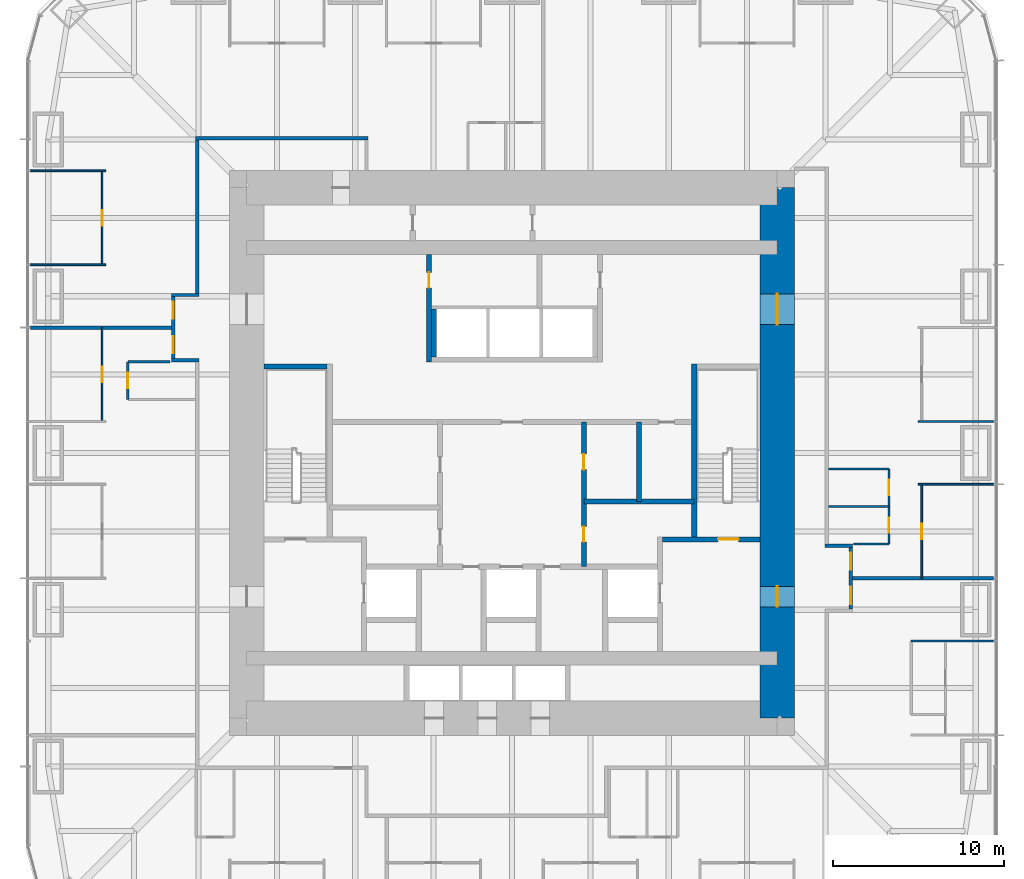
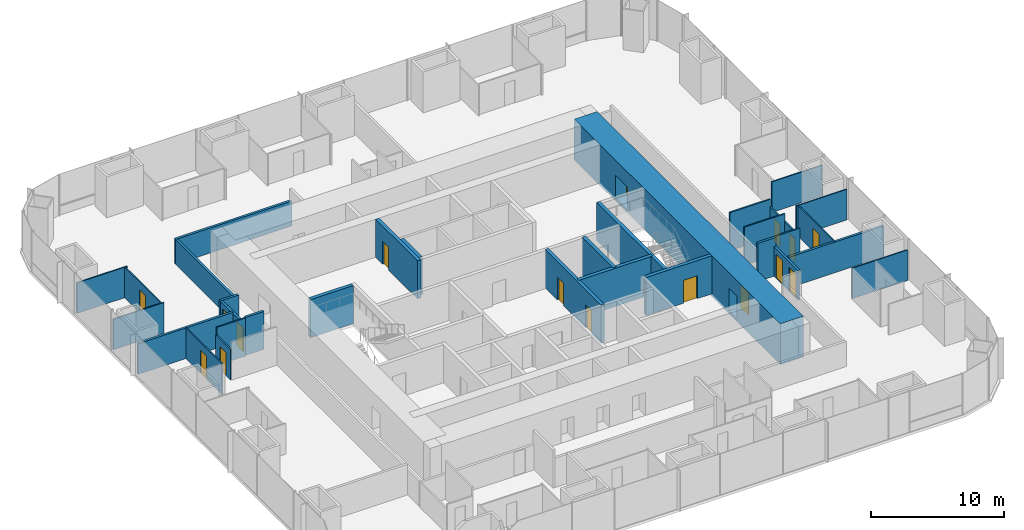
# One storey, part 9 of 11: 32 walls, 16 doors, 16 openings.
"""IFC4 building model written with IfcOpenShell, lengths in metres."""

from ifc_helpers import new_model, si_unit, direction, frame, frame_2d, origin, place, context, subcontext, project, spatial, rectangle, extrude, material, layer, layer_set, type_object, element, fill, save


model = new_model("IFC4")

# Units and contexts
model_context = context("Model", 3, precision=1e-05, world=origin(), true_north=direction((0.0, 1.0)))
body_context = subcontext(model_context, "Body", "Model", "MODEL_VIEW")
ifc_project = project(units=[si_unit("LENGTHUNIT", "METRE"), si_unit("AREAUNIT", "SQUARE_METRE"), si_unit("VOLUMEUNIT", "CUBIC_METRE"), si_unit("PLANEANGLEUNIT", "RADIAN"), si_unit("MASSUNIT", "GRAM", prefix="KILO")], contexts=[model_context])

# Site, building, storey
site_placement = place(None, origin())
site = spatial("IfcSite", under=ifc_project, at=site_placement, CompositionType="ELEMENT")
building_placement = place(site_placement, origin())
building = spatial("IfcBuilding", under=site, at=building_placement, Name="Khuree Lantern Residences", CompositionType="ELEMENT")
storey_placement = place(building_placement, frame((0.0, 0.0, 171.0)))
storey = spatial("IfcBuildingStorey", under=building, at=storey_placement, Name="L43", CompositionType="ELEMENT", Elevation=171.0)

# Wall, openings, doors
ifc_material_1 = material(Name="Moisture-resistant gypsum board on steel studs", Category="steel")
ifc_layer_1 = layer(ifc_material_1, 0.125)
ifc_layer_set_1 = layer_set([ifc_layer_1], Name="BATHROOM WALL BTW125")
wall_type_1 = type_object("IfcWallType", Name="BATHROOM WALL BTW125", PredefinedType="PARTITIONING", material=ifc_layer_set_1)
wall_1_placement = place(storey_placement, frame((22.02978515625, -5.327880859375, 0.0), z_axis=(0.0, 0.0, 1.0), x_axis=(0.0, 1.0, 0.0)))
wall_1 = element("IfcWall", 1, at=wall_1_placement, inside=storey, type_object=wall_type_1, Name="L43 BATHROOM WALL 01", PredefinedType="PARTITIONING", context=body_context, shape_type="SweptSolid", body=[
    extrude(rectangle(XDim=4.39990234375, YDim=0.125, at=frame_2d((2.199951171875, 0.0))), origin(), (0.0, 0.0, 1.0), 2.81005859375),
])
opening_1_placement = place(wall_1_placement, frame((0.64990234375, 0.0, 0.0)))
opening_1 = element("IfcOpeningElement", 2, at=opening_1_placement, cuts=wall_1, Name="Opening 43-029", PredefinedType="OPENING", context=body_context, shape_type="SweptSolid", body=[
    extrude(rectangle(XDim=0.89990234375, YDim=2.10009765625, at=frame_2d((0.449951171875, 1.050048828125))), frame((0.0, 0.072509765625, 0.0), z_axis=(0.0, -1.0, 0.0), x_axis=(1.0, 0.0, 0.0)), (0.0, 0.0, 1.0), 0.14501953125),
])
opening_2_placement = place(wall_1_placement, frame((2.85009765625, 0.0, 0.0)))
opening_2 = element("IfcOpeningElement", 3, at=opening_2_placement, cuts=wall_1, Name="Opening 43-030", PredefinedType="OPENING", context=body_context, shape_type="SweptSolid", body=[
    extrude(rectangle(XDim=0.89990234375, YDim=2.10009765625, at=frame_2d((0.449951171875, 1.050048828125))), frame((0.0, 0.072509765625, 0.0), z_axis=(0.0, -1.0, 0.0), x_axis=(1.0, 0.0, 0.0)), (0.0, 0.0, 1.0), 0.14501953125),
])
ifc_material_2 = material(Name="Timber door leaf in hardwood frame", Category="wood")
door_type_1 = type_object("IfcDoorType", Name="BATHROOM DOOR 900X2100", OperationType="SINGLE_SWING_LEFT", PredefinedType="DOOR", material=ifc_material_2)
door_1_placement = place(opening_1_placement, origin())
door_1 = element("IfcDoor", 4, at=door_1_placement, inside=storey, type_object=door_type_1, Name="Bathroom door 43-029", OperationType="SINGLE_SWING_LEFT", OverallHeight=2.10009765625, OverallWidth=0.89990234375, PredefinedType="DOOR", context=body_context, shape_type="SweptSolid", body=[
    extrude(rectangle(XDim=0.89990234375, YDim=2.10009765625, at=frame_2d((0.449951171875, 1.050048828125))), frame((0.0, 0.02490234375, 0.0), z_axis=(0.0, -1.0, 0.0), x_axis=(1.0, 0.0, 0.0)), (0.0, 0.0, 1.0), 0.050048828125),
])
fill(opening_1, door_1)
door_2_placement = place(opening_2_placement, origin())
door_2 = element("IfcDoor", 5, at=door_2_placement, inside=storey, type_object=door_type_1, Name="Bathroom door 43-030", OperationType="SINGLE_SWING_LEFT", OverallHeight=2.10009765625, OverallWidth=0.89990234375, PredefinedType="DOOR", context=body_context, shape_type="SweptSolid", body=[
    extrude(rectangle(XDim=0.89990234375, YDim=2.10009765625, at=frame_2d((0.449951171875, 1.050048828125))), frame((0.0, 0.02490234375, 0.0), z_axis=(0.0, -1.0, 0.0), x_axis=(1.0, 0.0, 0.0)), (0.0, 0.0, 1.0), 0.050048828125),
])
fill(opening_2, door_2)

# Walls
wall_2_placement = place(storey_placement, frame((19.969970703125, -5.327880859375, 0.0), z_axis=(0.0, 0.0, 1.0), x_axis=(1.0, 0.0, 0.0)))
element("IfcWall", 6, at=wall_2_placement, inside=storey, type_object=wall_type_1, Name="L43 BATHROOM WALL 01", PredefinedType="PARTITIONING", context=body_context, shape_type="SweptSolid", body=[
    extrude(rectangle(XDim=2.059814453125, YDim=0.125, at=frame_2d((1.02978515625, 0.0))), origin(), (0.0, 0.0, 1.0), 3.5),
])
for number, where, z_axis, x_axis, name in (
    (7, (18.5, -3.1279296875, 0.0), (0.0, 0.0, 1.0), (1.0, 0.0, 0.0), "L43 BATHROOM WALL 01"),
    (8, (18.5, -0.927978515625, 0.0), (0.0, 0.0, 1.0), (1.0, 0.0, 0.0), "L43 BATHROOM WALL 01"),
):
    element("IfcWall", number, at=place(storey_placement, frame(where, z_axis=z_axis, x_axis=x_axis)), inside=storey, type_object=wall_type_1, Name=name, PredefinedType="PARTITIONING", context=body_context, shape_type="SweptSolid", body=[
        extrude(rectangle(XDim=3.52978515625, YDim=0.125, at=frame_2d((1.764892578125, 0.0))), origin(), (0.0, 0.0, 1.0), 3.5),
    ])

# Wall, opening, door
wall_3_placement = place(storey_placement, frame((-22.449951171875, 5.327880859375, 0.0), z_axis=(0.0, 0.0, 1.0), x_axis=(0.0, -1.0, 0.0)))
wall_3 = element("IfcWall", 9, at=wall_3_placement, inside=storey, type_object=wall_type_1, Name="L43 BATHROOM WALL 03", PredefinedType="PARTITIONING", context=body_context, shape_type="SweptSolid", body=[
    extrude(rectangle(XDim=2.199951171875, YDim=0.125, at=frame_2d((1.10009765625, 0.0))), origin(), (0.0, 0.0, 1.0), 2.81005859375),
])
opening_3_placement = place(wall_3_placement, frame((0.64990234375, 0.0, 0.0)))
opening_3 = element("IfcOpeningElement", 10, at=opening_3_placement, cuts=wall_3, Name="Opening 43-040", PredefinedType="OPENING", context=body_context, shape_type="SweptSolid", body=[
    extrude(rectangle(XDim=0.89990234375, YDim=2.10009765625, at=frame_2d((0.449951171875, 1.050048828125))), frame((0.0, 0.072509765625, 0.0), z_axis=(0.0, -1.0, 0.0), x_axis=(1.0, 0.0, 0.0)), (0.0, 0.0, 1.0), 0.14501953125),
])
door_3_placement = place(opening_3_placement, origin())
door_3 = element("IfcDoor", 11, at=door_3_placement, inside=storey, type_object=door_type_1, Name="Bathroom door 43-040", OperationType="SINGLE_SWING_LEFT", OverallHeight=2.10009765625, OverallWidth=0.89990234375, PredefinedType="DOOR", context=body_context, shape_type="SweptSolid", body=[
    extrude(rectangle(XDim=0.89990234375, YDim=2.10009765625, at=frame_2d((0.449951171875, 1.050048828125))), frame((0.0, 0.02490234375, 0.0), z_axis=(0.0, -1.0, 0.0), x_axis=(1.0, 0.0, 0.0)), (0.0, 0.0, 1.0), 0.050048828125),
])
fill(opening_3, door_3)

# Walls
wall_4_placement = place(storey_placement, frame((-19.969970703125, 5.327880859375, 0.0), z_axis=(0.0, 0.0, 1.0), x_axis=(-1.0, 0.0, 0.0)))
element("IfcWall", 12, at=wall_4_placement, inside=storey, type_object=wall_type_1, Name="L43 BATHROOM WALL 03", PredefinedType="PARTITIONING", context=body_context, shape_type="SweptSolid", body=[
    extrude(rectangle(XDim=2.47998046875, YDim=0.125, at=frame_2d((1.239990234375, 0.0))), origin(), (0.0, 0.0, 1.0), 3.5),
])
ifc_material_3 = material(Name="Dense concrete blockwork", Category="masonry")
ifc_layer_2 = layer(ifc_material_3, 0.300048828125)
ifc_layer_set_2 = layer_set([ifc_layer_2], Name="CORE PARTITION WALL CPW300 EI 120")
wall_type_2 = type_object("IfcWallType", Name="CORE PARTITION WALL CPW300 EI 120", PredefinedType="PARTITIONING", material=ifc_layer_set_2)
wall_5_placement = place(storey_placement, frame((-4.550048828125, 5.60009765625, 0.0), z_axis=(0.0, 0.0, 1.0), x_axis=(0.0, 1.0, 0.0)))
element("IfcWall", 13, at=wall_5_placement, inside=storey, type_object=wall_type_2, Name="L43 CORE WALL PHW", PredefinedType="PARTITIONING", context=body_context, shape_type="SweptSolid", body=[
    extrude(rectangle(XDim=2.7998046875, YDim=0.300048828125, at=frame_2d((1.39990234375, 0.0))), origin(), (0.0, 0.0, 1.0), 3.5),
])

# Wall, openings, doors
wall_6_placement = place(storey_placement, frame((4.199951171875, -6.64990234375, 0.0), z_axis=(0.0, 0.0, 1.0), x_axis=(0.0, 1.0, 0.0)))
wall_6 = element("IfcWall", 14, at=wall_6_placement, inside=storey, type_object=wall_type_2, Name="L43 CORE WALL SVE", PredefinedType="PARTITIONING", context=body_context, shape_type="SweptSolid", body=[
    extrude(rectangle(XDim=8.449951171875, YDim=0.300048828125, at=frame_2d((4.22509765625, 0.0))), origin(), (0.0, 0.0, 1.0), 3.5),
])
opening_4_placement = place(wall_6_placement, frame((1.450927734375, 0.0, 0.0)))
opening_4 = element("IfcOpeningElement", 15, at=opening_4_placement, cuts=wall_6, Name="Opening 43-018", PredefinedType="OPENING", context=body_context, shape_type="SweptSolid", body=[
    extrude(rectangle(XDim=0.89990234375, YDim=2.10009765625, at=frame_2d((0.449951171875, 1.050048828125))), frame((0.0, 0.16015625, 0.0), z_axis=(0.0, -1.0, 0.0), x_axis=(1.0, 0.0, 0.0)), (0.0, 0.0, 1.0), 0.320068359375),
])
opening_5_placement = place(wall_6_placement, frame((5.676025390625, 0.0, 0.0)))
opening_5 = element("IfcOpeningElement", 16, at=opening_5_placement, cuts=wall_6, Name="Opening 43-019", PredefinedType="OPENING", context=body_context, shape_type="SweptSolid", body=[
    extrude(rectangle(XDim=0.89990234375, YDim=2.10009765625, at=frame_2d((0.449951171875, 1.050048828125))), frame((0.0, 0.16015625, 0.0), z_axis=(0.0, -1.0, 0.0), x_axis=(1.0, 0.0, 0.0)), (0.0, 0.0, 1.0), 0.320068359375),
])
door_type_2 = type_object("IfcDoorType", Name="DOOR 900X2100", OperationType="SINGLE_SWING_LEFT", PredefinedType="DOOR", material=ifc_material_2)
door_4_placement = place(opening_4_placement, origin())
door_4 = element("IfcDoor", 17, at=door_4_placement, inside=storey, type_object=door_type_2, Name="Bulky waste store door 43-018", OperationType="SINGLE_SWING_LEFT", OverallHeight=2.10009765625, OverallWidth=0.89990234375, PredefinedType="DOOR", context=body_context, shape_type="SweptSolid", body=[
    extrude(rectangle(XDim=0.89990234375, YDim=2.10009765625, at=frame_2d((0.449951171875, 1.050048828125))), frame((0.0, 0.02490234375, 0.0), z_axis=(0.0, -1.0, 0.0), x_axis=(1.0, 0.0, 0.0)), (0.0, 0.0, 1.0), 0.050048828125),
])
fill(opening_4, door_4)
door_type_3 = type_object("IfcDoorType", Name="DOOR 900X2100 RIGHT HAND", OperationType="SINGLE_SWING_RIGHT", PredefinedType="DOOR", material=ifc_material_2)
door_5_placement = place(opening_5_placement, origin())
door_5 = element("IfcDoor", 18, at=door_5_placement, inside=storey, type_object=door_type_3, Name="Building management room door 43-019", OperationType="SINGLE_SWING_RIGHT", OverallHeight=2.10009765625, OverallWidth=0.89990234375, PredefinedType="DOOR", context=body_context, shape_type="SweptSolid", body=[
    extrude(rectangle(XDim=0.89990234375, YDim=2.10009765625, at=frame_2d((0.449951171875, 1.050048828125))), frame((0.0, 0.02490234375, 0.0), z_axis=(0.0, -1.0, 0.0), x_axis=(1.0, 0.0, 0.0)), (0.0, 0.0, 1.0), 0.050048828125),
])
fill(opening_5, door_5)

# Walls
wall_7_placement = place(storey_placement, frame((10.64990234375, -2.847900390625, 0.0), z_axis=(0.0, 0.0, 1.0), x_axis=(-1.0, 0.0, 0.0)))
element("IfcWall", 19, at=wall_7_placement, inside=storey, type_object=wall_type_2, Name="L43 CORE WALL EX", PredefinedType="PARTITIONING", context=body_context, shape_type="SweptSolid", body=[
    extrude(rectangle(XDim=6.449951171875, YDim=0.300048828125, at=frame_2d((3.22509765625, 0.0))), origin(), (0.0, 0.0, 1.0), 3.5),
])
wall_8_placement = place(storey_placement, frame((7.425048828125, -2.847900390625, 0.0), z_axis=(0.0, 0.0, 1.0), x_axis=(0.0, 1.0, 0.0)))
element("IfcWall", 20, at=wall_8_placement, inside=storey, type_object=wall_type_2, Name="L43 CORE WALL EV", PredefinedType="PARTITIONING", context=body_context, shape_type="SweptSolid", body=[
    extrude(rectangle(XDim=4.64794921875, YDim=0.300048828125, at=frame_2d((2.323974609375, 0.0))), origin(), (0.0, 0.0, 1.0), 3.5),
])

# Wall, opening, door
wall_9_placement = place(storey_placement, frame((-4.85009765625, 5.300048828125, 0.0), z_axis=(0.0, 0.0, 1.0), x_axis=(0.0, 1.0, 0.0)))
wall_9 = element("IfcWall", 21, at=wall_9_placement, inside=storey, type_object=wall_type_2, Name="L43 CORE WALL NW", PredefinedType="PARTITIONING", context=body_context, shape_type="SweptSolid", body=[
    extrude(rectangle(XDim=6.300048828125, YDim=0.300048828125, at=frame_2d((3.14990234375, 0.0))), origin(), (0.0, 0.0, 1.0), 3.5),
])
opening_6_placement = place(wall_9_placement, frame((4.35009765625, 0.0, 0.0)))
opening_6 = element("IfcOpeningElement", 22, at=opening_6_placement, cuts=wall_9, Name="Opening 43-021", PredefinedType="OPENING", context=body_context, shape_type="SweptSolid", body=[
    extrude(rectangle(XDim=0.89990234375, YDim=2.10009765625, at=frame_2d((0.449951171875, 1.050048828125))), frame((0.0, 0.16015625, 0.0), z_axis=(0.0, -1.0, 0.0), x_axis=(1.0, 0.0, 0.0)), (0.0, 0.0, 1.0), 0.320068359375),
])
door_6_placement = place(opening_6_placement, origin())
door_6 = element("IfcDoor", 23, at=door_6_placement, inside=storey, type_object=door_type_3, Name="Parcel room door 43-021", OperationType="SINGLE_SWING_RIGHT", OverallHeight=2.10009765625, OverallWidth=0.89990234375, PredefinedType="DOOR", context=body_context, shape_type="SweptSolid", body=[
    extrude(rectangle(XDim=0.89990234375, YDim=2.10009765625, at=frame_2d((0.449951171875, 1.050048828125))), frame((0.0, 0.02490234375, 0.0), z_axis=(0.0, -1.0, 0.0), x_axis=(1.0, 0.0, 0.0)), (0.0, 0.0, 1.0), 0.050048828125),
])
fill(opening_6, door_6)

# Walls
ifc_material_4 = material(Name="Gypsum board on steel studs", Category="steel")
ifc_layer_3 = layer(ifc_material_4, 0.199951171875)
ifc_layer_set_3 = layer_set([ifc_layer_3], Name="CORRIDOR WALL CRW200 EI 60")
wall_type_3 = type_object("IfcWallType", Name="CORRIDOR WALL CRW200 EI 60", PredefinedType="PARTITIONING", material=ifc_layer_set_3)
wall_10_placement = place(storey_placement, frame((-18.5, 18.39990234375, 0.0), z_axis=(0.0, 0.0, 1.0), x_axis=(1.0, 0.0, 0.0)))
element("IfcWall", 24, at=wall_10_placement, inside=storey, type_object=wall_type_3, Name="L43 CORRIDOR WALL NORTH", PredefinedType="PARTITIONING", context=body_context, shape_type="SweptSolid", body=[
    extrude(rectangle(XDim=10.10009765625, YDim=0.199951171875, at=frame_2d((5.050048828125, 0.0))), origin(), (0.0, 0.0, 1.0), 2.300048828125),
])
wall_11_placement = place(storey_placement, frame((18.300048828125, -5.427978515625, 0.0), z_axis=(0.0, 0.0, 1.0), x_axis=(1.0, 0.0, 0.0)))
element("IfcWall", 25, at=wall_11_placement, inside=storey, type_object=wall_type_3, Name="L43 CORRIDOR ALCOVE WALL EAST", PredefinedType="PARTITIONING", context=body_context, shape_type="SweptSolid", body=[
    extrude(rectangle(XDim=1.599853515625, YDim=0.199951171875, at=frame_2d((0.7998046875, 0.0))), origin(), (0.0, 0.0, 1.0), 3.5),
])

# Wall, openings, doors
wall_12_placement = place(storey_placement, frame((19.800048828125, -9.1279296875, 0.0), z_axis=(0.0, 0.0, 1.0), x_axis=(0.0, 1.0, 0.0)))
wall_12 = element("IfcWall", 26, at=wall_12_placement, inside=storey, type_object=wall_type_3, Name="L43 CORRIDOR ALCOVE WALL EAST", PredefinedType="PARTITIONING", context=body_context, shape_type="SweptSolid", body=[
    extrude(rectangle(XDim=3.599853515625, YDim=0.199951171875, at=frame_2d((1.7998046875, 0.0))), origin(), (0.0, 0.0, 1.0), 2.699951171875),
])
opening_7_placement = place(wall_12_placement, frame((2.300048828125, 0.0, 0.0)))
opening_7 = element("IfcOpeningElement", 27, at=opening_7_placement, cuts=wall_12, Name="Opening 43-031", PredefinedType="OPENING", context=body_context, shape_type="SweptSolid", body=[
    extrude(rectangle(XDim=1.0, YDim=2.199951171875, at=frame_2d((0.5, 1.10009765625))), frame((0.0, 0.10986328125, 0.0), z_axis=(0.0, -1.0, 0.0), x_axis=(1.0, 0.0, 0.0)), (0.0, 0.0, 1.0), 0.219970703125),
])
opening_8_placement = place(wall_12_placement, frame((0.300048828125, 0.0, 0.0)))
opening_8 = element("IfcOpeningElement", 28, at=opening_8_placement, cuts=wall_12, Name="Opening 43-052", PredefinedType="OPENING", context=body_context, shape_type="SweptSolid", body=[
    extrude(rectangle(XDim=1.0, YDim=2.199951171875, at=frame_2d((0.5, 1.10009765625))), frame((0.0, 0.10986328125, 0.0), z_axis=(0.0, -1.0, 0.0), x_axis=(1.0, 0.0, 0.0)), (0.0, 0.0, 1.0), 0.219970703125),
])
door_type_4 = type_object("IfcDoorType", Name="APARTMENT ENTRANCE DOOR 1000X2200 EI 30S", OperationType="SINGLE_SWING_LEFT", PredefinedType="DOOR", material=ifc_material_2)
door_7_placement = place(opening_8_placement, origin())
door_7 = element("IfcDoor", 29, at=door_7_placement, inside=storey, type_object=door_type_4, Name="Apartment 05 entrance door 43-052", OperationType="SINGLE_SWING_LEFT", OverallHeight=2.199951171875, OverallWidth=1.0, PredefinedType="DOOR", context=body_context, shape_type="SweptSolid", body=[
    extrude(rectangle(XDim=1.0, YDim=2.199951171875, at=frame_2d((0.5, 1.10009765625))), frame((0.0, 0.02490234375, 0.0), z_axis=(0.0, -1.0, 0.0), x_axis=(1.0, 0.0, 0.0)), (0.0, 0.0, 1.0), 0.050048828125),
])
fill(opening_8, door_7)
door_type_5 = type_object("IfcDoorType", Name="APARTMENT ENTRANCE DOOR 1000X2200 EI 30S RIGHT HAND", OperationType="SINGLE_SWING_RIGHT", PredefinedType="DOOR", material=ifc_material_2)
door_8_placement = place(opening_7_placement, origin())
door_8 = element("IfcDoor", 30, at=door_8_placement, inside=storey, type_object=door_type_5, Name="Apartment 01 entrance door 43-031", OperationType="SINGLE_SWING_RIGHT", OverallHeight=2.199951171875, OverallWidth=1.0, PredefinedType="DOOR", context=body_context, shape_type="SweptSolid", body=[
    extrude(rectangle(XDim=1.0, YDim=2.199951171875, at=frame_2d((0.5, 1.10009765625))), frame((0.0, 0.02490234375, 0.0), z_axis=(0.0, -1.0, 0.0), x_axis=(1.0, 0.0, 0.0)), (0.0, 0.0, 1.0), 0.050048828125),
])
fill(opening_7, door_8)

# Walls
wall_13_placement = place(storey_placement, frame((-18.39990234375, 18.300048828125, 0.0), z_axis=(0.0, 0.0, 1.0), x_axis=(0.0, -1.0, 0.0)))
element("IfcWall", 31, at=wall_13_placement, inside=storey, type_object=wall_type_3, Name="L43 CORRIDOR WALL WEST 1", PredefinedType="PARTITIONING", context=body_context, shape_type="SweptSolid", body=[
    extrude(rectangle(XDim=8.97216796875, YDim=0.199951171875, at=frame_2d((4.486083984375, 0.0))), origin(), (0.0, 0.0, 1.0), 2.300048828125),
])
wall_14_placement = place(storey_placement, frame((-18.300048828125, 9.22802734375, 0.0), z_axis=(0.0, 0.0, 1.0), x_axis=(-1.0, 0.0, 0.0)))
element("IfcWall", 32, at=wall_14_placement, inside=storey, type_object=wall_type_3, Name="L43 CORRIDOR ALCOVE WALL WEST", PredefinedType="PARTITIONING", context=body_context, shape_type="SweptSolid", body=[
    extrude(rectangle(XDim=1.599853515625, YDim=0.199951171875, at=frame_2d((0.7998046875, 0.0))), origin(), (0.0, 0.0, 1.0), 2.699951171875),
])
wall_15_placement = place(storey_placement, frame((-18.300048828125, 5.427978515625, 0.0), z_axis=(0.0, 0.0, 1.0), x_axis=(-1.0, 0.0, 0.0)))
element("IfcWall", 33, at=wall_15_placement, inside=storey, type_object=wall_type_3, Name="L43 CORRIDOR ALCOVE WALL WEST", PredefinedType="PARTITIONING", context=body_context, shape_type="SweptSolid", body=[
    extrude(rectangle(XDim=1.599853515625, YDim=0.199951171875, at=frame_2d((0.7998046875, 0.0))), origin(), (0.0, 0.0, 1.0), 3.5),
])

# Wall, openings, doors
wall_16_placement = place(storey_placement, frame((-19.800048828125, 9.1279296875, 0.0), z_axis=(0.0, 0.0, 1.0), x_axis=(0.0, -1.0, 0.0)))
wall_16 = element("IfcWall", 34, at=wall_16_placement, inside=storey, type_object=wall_type_3, Name="L43 CORRIDOR ALCOVE WALL WEST", PredefinedType="PARTITIONING", context=body_context, shape_type="SweptSolid", body=[
    extrude(rectangle(XDim=3.599853515625, YDim=0.199951171875, at=frame_2d((1.7998046875, 0.0))), origin(), (0.0, 0.0, 1.0), 2.699951171875),
])
opening_9_placement = place(wall_16_placement, frame((0.300048828125, 0.0, 0.0)))
opening_9 = element("IfcOpeningElement", 35, at=opening_9_placement, cuts=wall_16, Name="Opening 43-037", PredefinedType="OPENING", context=body_context, shape_type="SweptSolid", body=[
    extrude(rectangle(XDim=1.0, YDim=2.199951171875, at=frame_2d((0.5, 1.10009765625))), frame((0.0, 0.10986328125, 0.0), z_axis=(0.0, -1.0, 0.0), x_axis=(1.0, 0.0, 0.0)), (0.0, 0.0, 1.0), 0.219970703125),
])
opening_10_placement = place(wall_16_placement, frame((2.300048828125, 0.0, 0.0)))
opening_10 = element("IfcOpeningElement", 36, at=opening_10_placement, cuts=wall_16, Name="Opening 43-041", PredefinedType="OPENING", context=body_context, shape_type="SweptSolid", body=[
    extrude(rectangle(XDim=1.0, YDim=2.199951171875, at=frame_2d((0.5, 1.10009765625))), frame((0.0, 0.10986328125, 0.0), z_axis=(0.0, -1.0, 0.0), x_axis=(1.0, 0.0, 0.0)), (0.0, 0.0, 1.0), 0.219970703125),
])
door_9_placement = place(opening_9_placement, origin())
door_9 = element("IfcDoor", 37, at=door_9_placement, inside=storey, type_object=door_type_4, Name="Apartment 02 entrance door 43-037", OperationType="SINGLE_SWING_LEFT", OverallHeight=2.199951171875, OverallWidth=1.0, PredefinedType="DOOR", context=body_context, shape_type="SweptSolid", body=[
    extrude(rectangle(XDim=1.0, YDim=2.199951171875, at=frame_2d((0.5, 1.10009765625))), frame((0.0, 0.02490234375, 0.0), z_axis=(0.0, -1.0, 0.0), x_axis=(1.0, 0.0, 0.0)), (0.0, 0.0, 1.0), 0.050048828125),
])
fill(opening_9, door_9)
door_10_placement = place(opening_10_placement, origin())
door_10 = element("IfcDoor", 38, at=door_10_placement, inside=storey, type_object=door_type_5, Name="Apartment 03 entrance door 43-041", OperationType="SINGLE_SWING_RIGHT", OverallHeight=2.199951171875, OverallWidth=1.0, PredefinedType="DOOR", context=body_context, shape_type="SweptSolid", body=[
    extrude(rectangle(XDim=1.0, YDim=2.199951171875, at=frame_2d((0.5, 1.10009765625))), frame((0.0, 0.02490234375, 0.0), z_axis=(0.0, -1.0, 0.0), x_axis=(1.0, 0.0, 0.0)), (0.0, 0.0, 1.0), 0.050048828125),
])
fill(opening_10, door_10)

ifc_material_5 = material(Name="Concrete C70/85", Category="concrete")
ifc_layer_4 = layer(ifc_material_5, 2.0)
ifc_layer_set_4 = layer_set([ifc_layer_4], Name="CW2000-C70 CORE WALL C70 2000")
wall_type_4 = type_object("IfcWallType", Name="CW2000-C70 CORE WALL C70 2000", PredefinedType="SHEAR", material=ifc_layer_set_4)
wall_17_placement = place(storey_placement, frame((15.5, -15.5, -0.25), z_axis=(0.0, 0.0, 1.0), x_axis=(0.0, 1.0, 0.0)))
wall_17 = element("IfcWall", 39, at=wall_17_placement, inside=storey, type_object=wall_type_4, Name="Core wall E", PredefinedType="SHEAR", context=body_context, shape_type="SweptSolid", body=[
    extrude(rectangle(XDim=31.0, YDim=2.0, at=frame_2d((15.5, 0.0))), origin(), (0.0, 0.0, 1.0), 3.75),
])
opening_11_placement = place(wall_17_placement, frame((6.5, 0.0, 0.25)))
opening_11 = element("IfcOpeningElement", 40, at=opening_11_placement, cuts=wall_17, Name="Opening 43-005", PredefinedType="OPENING", context=body_context, shape_type="SweptSolid", body=[
    extrude(rectangle(XDim=1.199951171875, YDim=2.10009765625, at=frame_2d((0.60009765625, 1.050048828125))), frame((0.0, 1.010009765625, 0.0), z_axis=(0.0, -1.0, 0.0), x_axis=(1.0, 0.0, 0.0)), (0.0, 0.0, 1.0), 2.02001953125),
])
opening_12_placement = place(wall_17_placement, frame((23.0, 0.0, 0.25)))
opening_12 = element("IfcOpeningElement", 41, at=opening_12_placement, cuts=wall_17, Name="Opening 43-006", PredefinedType="OPENING", context=body_context, shape_type="SweptSolid", body=[
    extrude(rectangle(XDim=1.800048828125, YDim=2.10009765625, at=frame_2d((0.89990234375, 1.050048828125))), frame((0.0, 1.010009765625, 0.0), z_axis=(0.0, -1.0, 0.0), x_axis=(1.0, 0.0, 0.0)), (0.0, 0.0, 1.0), 2.02001953125),
])
ifc_material_6 = material(Name="Steel door leaf in steel frame", Category="steel")
door_type_6 = type_object("IfcDoorType", Name="LOBBY DOOR 1200X2100 EI 120", OperationType="SINGLE_SWING_LEFT", PredefinedType="DOOR", material=ifc_material_6)
door_11_placement = place(opening_11_placement, origin())
door_11 = element("IfcDoor", 42, at=door_11_placement, inside=storey, type_object=door_type_6, Name="Firefighting lobby door 43-005", OperationType="SINGLE_SWING_LEFT", OverallHeight=2.10009765625, OverallWidth=1.199951171875, PredefinedType="DOOR", context=body_context, shape_type="SweptSolid", body=[
    extrude(rectangle(XDim=1.199951171875, YDim=2.10009765625, at=frame_2d((0.60009765625, 1.050048828125))), frame((0.0, 0.02490234375, 0.0), z_axis=(0.0, -1.0, 0.0), x_axis=(1.0, 0.0, 0.0)), (0.0, 0.0, 1.0), 0.050048828125),
])
fill(opening_11, door_11)
door_type_7 = type_object("IfcDoorType", Name="LOBBY DOUBLE DOOR 1800X2100 EI 60", OperationType="DOUBLE_DOOR_SINGLE_SWING", PredefinedType="DOOR", material=ifc_material_6)
door_12_placement = place(opening_12_placement, origin())
door_12 = element("IfcDoor", 43, at=door_12_placement, inside=storey, type_object=door_type_7, Name="Lift lobby door 43-006", OperationType="DOUBLE_DOOR_SINGLE_SWING", OverallHeight=2.10009765625, OverallWidth=1.800048828125, PredefinedType="DOOR", context=body_context, shape_type="SweptSolid", body=[
    extrude(rectangle(XDim=1.800048828125, YDim=2.10009765625, at=frame_2d((0.89990234375, 1.050048828125))), frame((0.0, 0.02490234375, 0.0), z_axis=(0.0, -1.0, 0.0), x_axis=(1.0, 0.0, 0.0)), (0.0, 0.0, 1.0), 0.050048828125),
])
fill(opening_12, door_12)

# Walls
ifc_layer_5 = layer(ifc_material_4, 0.199951171875)
ifc_layer_set_5 = layer_set([ifc_layer_5], Name="DEMISING WALL DMW200 EI 90")
wall_type_5 = type_object("IfcWallType", Name="DEMISING WALL DMW200 EI 90", PredefinedType="PARTITIONING", material=ifc_layer_set_5)
for number, where, z_axis, x_axis, name in (
    (44, (19.89990234375, -7.327880859375, 0.0), (0.0, 0.0, 1.0), (1.0, 0.0, 0.0), "L43 DEMISING WALL 01"),
    (45, (-19.89990234375, 7.327880859375, 0.0), (0.0, 0.0, 1.0), (-1.0, 0.0, 0.0), "L43 DEMISING WALL 03"),
):
    element("IfcWall", number, at=place(storey_placement, frame(where, z_axis=z_axis, x_axis=x_axis)), inside=storey, type_object=wall_type_5, Name=name, PredefinedType="PARTITIONING", context=body_context, shape_type="SweptSolid", body=[
        extrude(rectangle(XDim=8.25, YDim=0.199951171875, at=frame_2d((4.125, 0.0))), origin(), (0.0, 0.0, 1.0), 2.81005859375),
    ])
ifc_layer_6 = layer(ifc_material_4, 0.10009765625)
ifc_layer_set_6 = layer_set([ifc_layer_6], Name="PARTITION PT100")
wall_type_6 = type_object("IfcWallType", Name="PARTITION PT100", PredefinedType="PARTITIONING", material=ifc_layer_set_6)
for number, where, z_axis, x_axis, name in (
    (46, (23.75, -1.83203125, 0.0), (0.0, 0.0, 1.0), (1.0, 0.0, 0.0), "L43 PARTITION 01"),
    (47, (23.75, 1.83203125, 0.0), (0.0, 0.0, 1.0), (1.0, 0.0, 0.0), "L43 PARTITION 01"),
    (48, (-23.75, 16.488037109375, 0.0), (0.0, 0.0, 1.0), (-1.0, 0.0, 0.0), "L43 PARTITION 02"),
    (49, (-23.75, 10.991943359375, 0.0), (0.0, 0.0, 1.0), (-1.0, 0.0, 0.0), "L43 PARTITION 02"),
):
    element("IfcWall", number, at=place(storey_placement, frame(where, z_axis=z_axis, x_axis=x_axis)), inside=storey, type_object=wall_type_6, Name=name, PredefinedType="PARTITIONING", context=body_context, shape_type="SweptSolid", body=[
        extrude(rectangle(XDim=4.39990234375, YDim=0.10009765625, at=frame_2d((2.199951171875, 0.0))), origin(), (0.0, 0.0, 1.0), 2.81005859375),
    ])
wall_18_placement = place(storey_placement, frame((23.329833984375, -10.991943359375, 0.0), z_axis=(0.0, 0.0, 1.0), x_axis=(1.0, 0.0, 0.0)))
element("IfcWall", 50, at=wall_18_placement, inside=storey, type_object=wall_type_6, Name="L43 PARTITION 05", PredefinedType="PARTITIONING", context=body_context, shape_type="SweptSolid", body=[
    extrude(rectangle(XDim=4.820068359375, YDim=0.10009765625, at=frame_2d((2.41015625, 0.0))), origin(), (0.0, 0.0, 1.0), 2.81005859375),
])

# Wall, opening, door
wall_19_placement = place(storey_placement, frame((23.949951171875, -7.327880859375, 0.0), z_axis=(0.0, 0.0, 1.0), x_axis=(0.0, 1.0, 0.0)))
wall_19 = element("IfcWall", 51, at=wall_19_placement, inside=storey, type_object=wall_type_6, Name="L43 PARTITION 01", PredefinedType="PARTITIONING", context=body_context, shape_type="SweptSolid", body=[
    extrude(rectangle(XDim=5.495849609375, YDim=0.10009765625, at=frame_2d((2.748046875, 0.0))), origin(), (0.0, 0.0, 1.0), 2.81005859375),
])
opening_13_placement = place(wall_19_placement, frame((2.298095703125, 0.0, 0.0)))
opening_13 = element("IfcOpeningElement", 52, at=opening_13_placement, cuts=wall_19, Name="Opening 43-026", PredefinedType="OPENING", context=body_context, shape_type="SweptSolid", body=[
    extrude(rectangle(XDim=0.89990234375, YDim=2.10009765625, at=frame_2d((0.449951171875, 1.050048828125))), frame((0.0, 0.06005859375, 0.0), z_axis=(0.0, -1.0, 0.0), x_axis=(1.0, 0.0, 0.0)), (0.0, 0.0, 1.0), 0.1201171875),
])
door_type_8 = type_object("IfcDoorType", Name="BEDROOM DOOR 900X2100", OperationType="SINGLE_SWING_LEFT", PredefinedType="DOOR", material=ifc_material_2)
door_13_placement = place(opening_13_placement, origin())
door_13 = element("IfcDoor", 53, at=door_13_placement, inside=storey, type_object=door_type_8, Name="Bedroom door 43-026", OperationType="SINGLE_SWING_LEFT", OverallHeight=2.10009765625, OverallWidth=0.89990234375, PredefinedType="DOOR", context=body_context, shape_type="SweptSolid", body=[
    extrude(rectangle(XDim=0.89990234375, YDim=2.10009765625, at=frame_2d((0.449951171875, 1.050048828125))), frame((0.0, 0.02490234375, 0.0), z_axis=(0.0, -1.0, 0.0), x_axis=(1.0, 0.0, 0.0)), (0.0, 0.0, 1.0), 0.050048828125),
])
fill(opening_13, door_13)

wall_20_placement = place(storey_placement, frame((-23.949951171875, 16.488037109375, 0.0), z_axis=(0.0, 0.0, 1.0), x_axis=(0.0, -1.0, 0.0)))
wall_20 = element("IfcWall", 54, at=wall_20_placement, inside=storey, type_object=wall_type_6, Name="L43 PARTITION 02", PredefinedType="PARTITIONING", context=body_context, shape_type="SweptSolid", body=[
    extrude(rectangle(XDim=5.49609375, YDim=0.10009765625, at=frame_2d((2.748046875, 0.0))), origin(), (0.0, 0.0, 1.0), 2.81005859375),
])
opening_14_placement = place(wall_20_placement, frame((2.298095703125, 0.0, 0.0)))
opening_14 = element("IfcOpeningElement", 55, at=opening_14_placement, cuts=wall_20, Name="Opening 43-034", PredefinedType="OPENING", context=body_context, shape_type="SweptSolid", body=[
    extrude(rectangle(XDim=0.89990234375, YDim=2.10009765625, at=frame_2d((0.449951171875, 1.050048828125))), frame((0.0, 0.06005859375, 0.0), z_axis=(0.0, -1.0, 0.0), x_axis=(1.0, 0.0, 0.0)), (0.0, 0.0, 1.0), 0.1201171875),
])
door_14_placement = place(opening_14_placement, origin())
door_14 = element("IfcDoor", 56, at=door_14_placement, inside=storey, type_object=door_type_8, Name="Bedroom door 43-034", OperationType="SINGLE_SWING_LEFT", OverallHeight=2.10009765625, OverallWidth=0.89990234375, PredefinedType="DOOR", context=body_context, shape_type="SweptSolid", body=[
    extrude(rectangle(XDim=0.89990234375, YDim=2.10009765625, at=frame_2d((0.449951171875, 1.050048828125))), frame((0.0, 0.02490234375, 0.0), z_axis=(0.0, -1.0, 0.0), x_axis=(1.0, 0.0, 0.0)), (0.0, 0.0, 1.0), 0.050048828125),
])
fill(opening_14, door_14)

wall_21_placement = place(storey_placement, frame((-23.949951171875, 7.327880859375, 0.0), z_axis=(0.0, 0.0, 1.0), x_axis=(0.0, -1.0, 0.0)))
wall_21 = element("IfcWall", 57, at=wall_21_placement, inside=storey, type_object=wall_type_6, Name="L43 PARTITION 03", PredefinedType="PARTITIONING", context=body_context, shape_type="SweptSolid", body=[
    extrude(rectangle(XDim=5.495849609375, YDim=0.10009765625, at=frame_2d((2.748046875, 0.0))), origin(), (0.0, 0.0, 1.0), 2.81005859375),
])
opening_15_placement = place(wall_21_placement, frame((2.298095703125, 0.0, 0.0)))
opening_15 = element("IfcOpeningElement", 58, at=opening_15_placement, cuts=wall_21, Name="Opening 43-038", PredefinedType="OPENING", context=body_context, shape_type="SweptSolid", body=[
    extrude(rectangle(XDim=0.89990234375, YDim=2.10009765625, at=frame_2d((0.449951171875, 1.050048828125))), frame((0.0, 0.06005859375, 0.0), z_axis=(0.0, -1.0, 0.0), x_axis=(1.0, 0.0, 0.0)), (0.0, 0.0, 1.0), 0.1201171875),
])
door_15_placement = place(opening_15_placement, origin())
door_15 = element("IfcDoor", 59, at=door_15_placement, inside=storey, type_object=door_type_8, Name="Bedroom door 43-038", OperationType="SINGLE_SWING_LEFT", OverallHeight=2.10009765625, OverallWidth=0.89990234375, PredefinedType="DOOR", context=body_context, shape_type="SweptSolid", body=[
    extrude(rectangle(XDim=0.89990234375, YDim=2.10009765625, at=frame_2d((0.449951171875, 1.050048828125))), frame((0.0, 0.02490234375, 0.0), z_axis=(0.0, -1.0, 0.0), x_axis=(1.0, 0.0, 0.0)), (0.0, 0.0, 1.0), 0.050048828125),
])
fill(opening_15, door_15)

# Walls
ifc_material_7 = material(Name="Concrete C50/60", Category="concrete")
ifc_layer_7 = layer(ifc_material_7, 0.300048828125)
ifc_layer_set_7 = layer_set([ifc_layer_7], Name="STAIR WALL SRW300 C50/60 REI 240")
wall_type_7 = type_object("IfcWallType", Name="STAIR WALL SRW300 C50/60 REI 240", PredefinedType="SOLIDWALL", material=ifc_layer_set_7)
wall_22_placement = place(storey_placement, frame((-14.5, 5.050048828125, 0.0), z_axis=(0.0, 0.0, 1.0), x_axis=(1.0, 0.0, 0.0)))
element("IfcWall", 60, at=wall_22_placement, inside=storey, type_object=wall_type_7, Name="L43 STAIR WALL ST1N", PredefinedType="SOLIDWALL", context=body_context, shape_type="SweptSolid", body=[
    extrude(rectangle(XDim=3.699951171875, YDim=0.300048828125, at=frame_2d((1.85009765625, 0.0))), origin(), (0.0, 0.0, 1.0), 3.5),
])
wall_23_placement = place(storey_placement, frame((10.64990234375, -4.89990234375, 0.0), z_axis=(0.0, 0.0, 1.0), x_axis=(0.0, 1.0, 0.0)))
element("IfcWall", 61, at=wall_23_placement, inside=storey, type_object=wall_type_7, Name="L43 STAIR WALL ST2E", PredefinedType="SOLIDWALL", context=body_context, shape_type="SweptSolid", body=[
    extrude(rectangle(XDim=10.099853515625, YDim=0.300048828125, at=frame_2d((5.0498046875, 0.0))), origin(), (0.0, 0.0, 1.0), 3.5),
])

# Wall, opening, door
wall_24_placement = place(storey_placement, frame((14.5, -5.050048828125, 0.0), z_axis=(0.0, 0.0, 1.0), x_axis=(-1.0, 0.0, 0.0)))
wall_24 = element("IfcWall", 62, at=wall_24_placement, inside=storey, type_object=wall_type_7, Name="L43 STAIR WALL ST2S", PredefinedType="SOLIDWALL", context=body_context, shape_type="SweptSolid", body=[
    extrude(rectangle(XDim=5.699951171875, YDim=0.300048828125, at=frame_2d((2.85009765625, 0.0))), origin(), (0.0, 0.0, 1.0), 3.5),
])
opening_16_placement = place(wall_24_placement, frame((1.25, 0.0, 0.0)))
opening_16 = element("IfcOpeningElement", 63, at=opening_16_placement, cuts=wall_24, Name="Opening 43-004", PredefinedType="OPENING", context=body_context, shape_type="SweptSolid", body=[
    extrude(rectangle(XDim=1.199951171875, YDim=2.10009765625, at=frame_2d((0.60009765625, 1.050048828125))), frame((0.0, 0.16015625, 0.0), z_axis=(0.0, -1.0, 0.0), x_axis=(1.0, 0.0, 0.0)), (0.0, 0.0, 1.0), 0.320068359375),
])
door_type_9 = type_object("IfcDoorType", Name="STAIR DOOR 1200X2100 EI 120", OperationType="SINGLE_SWING_LEFT", PredefinedType="DOOR", material=ifc_material_6)
door_16_placement = place(opening_16_placement, origin())
door_16 = element("IfcDoor", 64, at=door_16_placement, inside=storey, type_object=door_type_9, Name="Stair ST2 door 43-004", OperationType="SINGLE_SWING_LEFT", OverallHeight=2.10009765625, OverallWidth=1.199951171875, PredefinedType="DOOR", context=body_context, shape_type="SweptSolid", body=[
    extrude(rectangle(XDim=1.199951171875, YDim=2.10009765625, at=frame_2d((0.60009765625, 1.050048828125))), frame((0.0, 0.02490234375, 0.0), z_axis=(0.0, -1.0, 0.0), x_axis=(1.0, 0.0, 0.0)), (0.0, 0.0, 1.0), 0.050048828125),
])
fill(opening_16, door_16)

save(model, "model.ifc")
